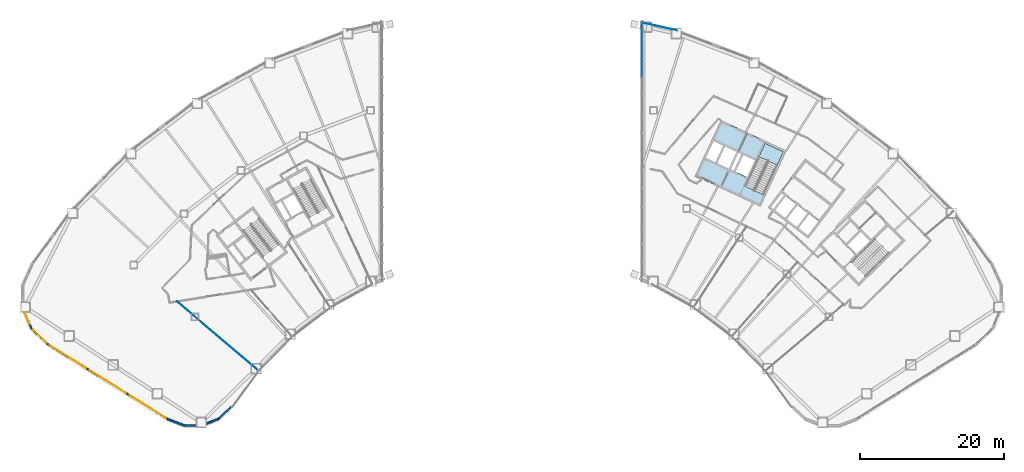
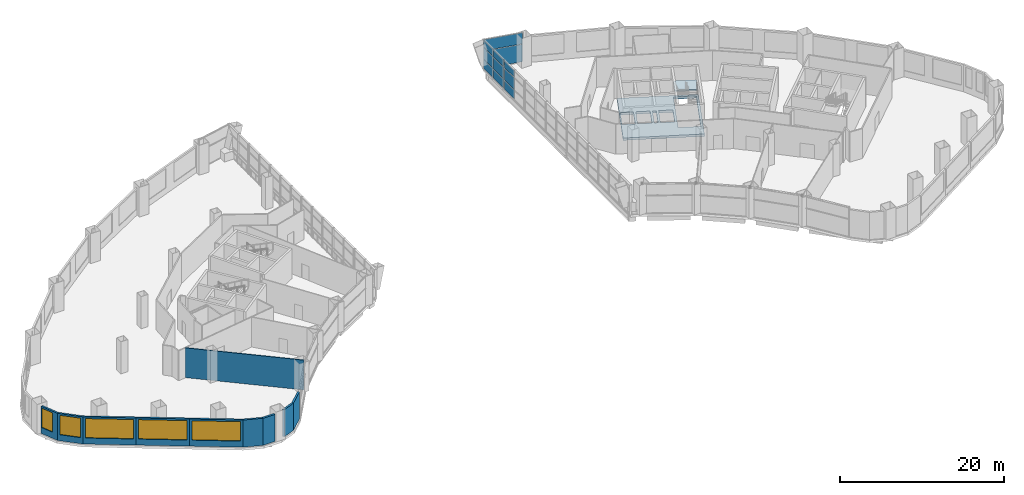
# One storey, part 18 of 26: 11 plates, 10 walls, 5 windows, 2 slabs, 5 openings, 4 elements without a shape of their own.
"""IFC4 building model written with IfcOpenShell, lengths in metres."""

import ifcopenshell
import ifcopenshell.guid

model = None  # the IFC model being written
_history = None  # IfcOwnerHistory: only IFC2X3 demands one
_inside = {}  # id of a spatial element -> (the spatial element, [elements in it])
_under = {}  # id of a project, library or spatial element -> (it, [spatial elements below it])
_declared = {}  # id of a project -> (the project, [libraries it declares])
_typed = {}  # id of a type object -> (the type object, [elements of that type])
_made_of = {}  # id of a material, layer set ... -> (it, [elements and type objects made of it])


def new_model(schema):
    """Start an empty IFC model of exactly this schema.

    Asked for "IFC4X3", IfcOpenShell would pick the latest addendum, in which some entities
    have other attributes; the version numbers below select the first issue.
    IFC2X3 requires an IfcOwnerHistory on every rooted entity: one is made here for all.
    """
    global model, _history
    if schema == "IFC4X3":
        model = ifcopenshell.file(schema_version=(4, 3, 0, 0))
    else:
        model = ifcopenshell.file(schema=schema)
    _inside.clear()
    _under.clear()
    _declared.clear()
    _typed.clear()
    _made_of.clear()
    _history = None
    if model.schema == "IFC2X3":
        org = make("IfcOrganization", Name="unknown")
        user = make(
            "IfcPersonAndOrganization",
            ThePerson=make("IfcPerson", FamilyName="unknown"),
            TheOrganization=org,
        )
        app = make(
            "IfcApplication",
            ApplicationDeveloper=org,
            Version="unknown",
            ApplicationFullName="unknown",
            ApplicationIdentifier="unknown",
        )
        _history = make(
            "IfcOwnerHistory",
            OwningUser=user,
            OwningApplication=app,
            ChangeAction="ADDED",
            CreationDate=0,
        )
    return model


def make(cls, **values):
    """One entity of the class cls with the attributes given. An attribute that is None is left unset."""
    return model.create_entity(
        cls, **{name: value for name, value in values.items() if value is not None}
    )


def rooted(cls, **values):
    """An entity with a GlobalId (a new one), such as an element, a storey or a relation."""
    return make(cls, GlobalId=ifcopenshell.guid.new(), OwnerHistory=_history, **values)


def si_unit(unit_type, name, prefix=None):
    """IfcSIUnit, for example si_unit("LENGTHUNIT", "METRE", prefix="MILLI")."""
    return make("IfcSIUnit", UnitType=unit_type, Prefix=prefix, Name=name)


def assignment(units):
    """IfcUnitAssignment: the units of a project."""
    return None if units is None else make("IfcUnitAssignment", Units=units)


def point(xyz):
    """IfcCartesianPoint."""
    return None if xyz is None else make("IfcCartesianPoint", Coordinates=xyz)


def direction(xyz):
    """IfcDirection."""
    return None if xyz is None else make("IfcDirection", DirectionRatios=xyz)


def frame(location, z_axis=None, x_axis=None):
    """IfcAxis2Placement3D, a coordinate frame: its origin and axes. An axis left out is left unset."""
    return make(
        "IfcAxis2Placement3D",
        Location=point(location),
        Axis=direction(z_axis),
        RefDirection=direction(x_axis),
    )


def frame_2d(location, x_axis=None):
    """IfcAxis2Placement2D, a coordinate frame in the plane: its origin and x axis."""
    return make(
        "IfcAxis2Placement2D", Location=point(location), RefDirection=direction(x_axis)
    )


def origin():
    """The frame at (0, 0, 0) with its axes left unset."""
    return frame((0.0, 0.0, 0.0))


def origin_2d():
    """The frame at (0, 0) in the plane with its x axis left unset."""
    return frame_2d((0.0, 0.0))


def place(relative_to, where):
    """IfcLocalPlacement: puts the frame where relative to a parent placement (None: the world)."""
    return make(
        "IfcLocalPlacement", PlacementRelTo=relative_to, RelativePlacement=where
    )


def context(
    kind, dimensions, precision=None, world=None, true_north=None, identifier=None
):
    """IfcGeometricRepresentationContext, for example the 3D "Model" context."""
    return make(
        "IfcGeometricRepresentationContext",
        ContextIdentifier=identifier,
        ContextType=kind,
        CoordinateSpaceDimension=dimensions,
        Precision=precision,
        WorldCoordinateSystem=world,
        TrueNorth=true_north,
    )


def subcontext(parent, identifier, kind, view, scale=None):
    """IfcGeometricRepresentationSubContext, for example "Body" below "Model"."""
    return make(
        "IfcGeometricRepresentationSubContext",
        ContextIdentifier=identifier,
        ContextType=kind,
        ParentContext=parent,
        TargetScale=scale,
        TargetView=view,
    )


def project(units=None, contexts=None):
    """IfcProject with its units and contexts."""
    return rooted(
        "IfcProject",
        Name="project",
        RepresentationContexts=contexts,
        UnitsInContext=assignment(units),
    )


def spatial(cls, under=None, at=None, **own):
    """A site, building, storey or space (cls), placed at a placement, below another one or the project."""
    s = rooted(cls, ObjectPlacement=at, **own)
    if under is not None:
        _under.setdefault(under.id(), (under, []))[1].append(s)
    return s


def polyline(points):
    """IfcPolyline through the points."""
    return make("IfcPolyline", Points=[point(p) for p in points])


def profile(cls, at=None, kind="AREA", **sizes):
    """A parametric profile (cls). Its sizes go by their IFC names, for example OverallWidth=200.0."""
    return make(cls, ProfileType=kind, Position=at, **sizes)


def rectangle(**sizes):
    """IfcRectangleProfileDef."""
    return profile("IfcRectangleProfileDef", **sizes)


def outline(outer, holes=None, kind="AREA"):
    """IfcArbitraryClosedProfileDef: a profile drawn as a closed curve; with holes, ...WithVoids."""
    if holes is None:
        return make("IfcArbitraryClosedProfileDef", ProfileType=kind, OuterCurve=outer)
    return make(
        "IfcArbitraryProfileDefWithVoids",
        ProfileType=kind,
        OuterCurve=outer,
        InnerCurves=holes,
    )


def extrude(swept, where, along, depth):
    """IfcExtrudedAreaSolid: the profile swept, set in the frame where, extruded along a direction by depth."""
    return make(
        "IfcExtrudedAreaSolid",
        SweptArea=swept,
        Position=where,
        ExtrudedDirection=direction(along),
        Depth=depth,
    )


def shape(context_of_items, identifier, shape_type, items):
    """IfcShapeRepresentation: the items that make up one representation, for example the "Body"."""
    return make(
        "IfcShapeRepresentation",
        ContextOfItems=context_of_items,
        RepresentationIdentifier=identifier,
        RepresentationType=shape_type,
        Items=items,
    )


def material(Name=None, Category=None):
    """IfcMaterial."""
    return make("IfcMaterial", Name=Name, Category=Category)


def layer(
    of_material, thickness, ventilated=None, Name=None, Category=None, Priority=None
):
    """IfcMaterialLayer: one layer of a wall or slab, of a material (None: an air gap)."""
    return make(
        "IfcMaterialLayer",
        Material=of_material,
        LayerThickness=thickness,
        IsVentilated=ventilated,
        Name=Name,
        Category=Category,
        Priority=Priority,
    )


def layer_set(layers, Name=None):
    """IfcMaterialLayerSet."""
    return make("IfcMaterialLayerSet", MaterialLayers=layers, LayerSetName=Name)


def made_of(thing, what):
    """Note that an element or type object is made of a material, layer set ...; save() writes the relation."""
    if what is not None:
        _made_of.setdefault(what.id(), (what, []))[1].append(thing)
    return thing


def type_object(cls, material=None, **own):
    """A type object (cls), such as IfcWallType, which elements share."""
    return made_of(rooted(cls, **own), material)


def element(
    cls,
    number,
    at=None,
    inside=None,
    cuts=None,
    type_object=None,
    material=None,
    context=None,
    identifier="Body",
    shape_type=None,
    held_by="IfcProductDefinitionShape",
    body=None,
    shapes=None,
    **own,
):
    """One element of the class cls, such as IfcWall. Its Tag is "e" and its number.

    at: its placement. inside: the storey or other place that contains it. cuts: it is an
    opening in that element (IfcRelVoidsElement). A single representation is given by context,
    identifier, shape_type and body (its items); several are given by shapes. held_by: the class
    of the entity that holds the representations. save() writes the other relations.
    """
    e = rooted(cls, Tag="e%d" % number, ObjectPlacement=at, **own)
    if body is not None:
        shapes = [shape(context, identifier, shape_type, body)]
    if shapes is not None:
        e.Representation = make(held_by, Representations=shapes)
    if inside is not None:
        _inside.setdefault(inside.id(), (inside, []))[1].append(e)
    if cuts is not None:
        rooted(
            "IfcRelVoidsElement", RelatingBuildingElement=cuts, RelatedOpeningElement=e
        )
    if type_object is not None:
        _typed.setdefault(type_object.id(), (type_object, []))[1].append(e)
    return made_of(e, material)


def fill(opening, filler):
    """IfcRelFillsElement: the door or window that sits in an opening."""
    return rooted(
        "IfcRelFillsElement",
        RelatingOpeningElement=opening,
        RelatedBuildingElement=filler,
    )


def aggregate(whole, parts):
    """IfcRelAggregates: a whole, such as a stair, and the parts it consists of."""
    return rooted("IfcRelAggregates", RelatingObject=whole, RelatedObjects=parts)


def save(model, path):
    """Write the relations noted so far, then the file.

    IfcRelAggregates (storeys below a building ...), IfcRelContainedInSpatialStructure (elements
    in a storey), IfcRelDefinesByType, IfcRelAssociatesMaterial and IfcRelDeclares: one each for
    every whole, place, type object, material and project.
    """
    for whole, parts in _under.values():
        aggregate(whole, parts)
    for where, things in _inside.values():
        rooted(
            "IfcRelContainedInSpatialStructure",
            RelatedElements=things,
            RelatingStructure=where,
        )
    for kind, things in _typed.values():
        rooted("IfcRelDefinesByType", RelatedObjects=things, RelatingType=kind)
    for what, things in _made_of.values():
        rooted("IfcRelAssociatesMaterial", RelatedObjects=things, RelatingMaterial=what)
    for by, libraries in _declared.values():
        rooted("IfcRelDeclares", RelatingContext=by, RelatedDefinitions=libraries)
    model.write(path)


model = new_model("IFC4")

# Units and contexts
model_context = context("Model", 3, precision=1e-05, world=origin(), true_north=direction((0.0, 1.0)))
body_context = subcontext(model_context, "Body", "Model", "MODEL_VIEW")
ifc_project = project(units=[si_unit("LENGTHUNIT", "METRE"), si_unit("AREAUNIT", "SQUARE_METRE"), si_unit("VOLUMEUNIT", "CUBIC_METRE"), si_unit("PLANEANGLEUNIT", "RADIAN"), si_unit("MASSUNIT", "GRAM", prefix="KILO")], contexts=[model_context])

# Site, building, storey
site_placement = place(None, origin())
site = spatial("IfcSite", under=ifc_project, at=site_placement, CompositionType="ELEMENT")
building_placement = place(site_placement, origin())
building = spatial("IfcBuilding", under=site, at=building_placement, Name="Tuul Gate Civic Tower", CompositionType="ELEMENT")
storey_placement = place(building_placement, frame((0.0, 0.0, 7.5)))
storey = spatial("IfcBuildingStorey", under=building, at=storey_placement, Name="Level 01", CompositionType="ELEMENT", Elevation=7.5)

# Curtain wall, plates
ifc_material_1 = material(Name="Stainless steel", Category="steel")
ifc_layer_1 = layer(ifc_material_1, 0.199951171875)
ifc_layer_set_1 = layer_set([ifc_layer_1], Name="Stainless steel")
curtain_wall_type_1 = type_object("IfcCurtainWallType", Name="Curtain wall CW2", PredefinedType="NOTDEFINED", material=ifc_layer_set_1)
curtain_wall_1_placement = place(storey_placement, origin())
curtain_wall_1 = element("IfcCurtainWall", 1, at=curtain_wall_1_placement, inside=storey, type_object=curtain_wall_type_1, Name="Curtain wall CW2", PredefinedType="NOTDEFINED")
ifc_material_2 = material(Name="Laminated glass", Category="glass")
ifc_layer_2 = layer(ifc_material_2, 0.0439453125)
ifc_layer_set_2 = layer_set([ifc_layer_2], Name="Laminated glass")
plate_type_1 = type_object("IfcPlateType", Name="CW2 panel", PredefinedType="CURTAIN_PANEL", material=ifc_layer_set_2)
plate_1_placement = place(storey_placement, frame((18.0, 11.79833984375, 0.080078125), z_axis=(0.0, 0.0, 1.0), x_axis=(0.0, 1.0, 0.0)))
plate_1 = element("IfcPlate", 2, at=plate_1_placement, type_object=plate_type_1, Name="Panel", PredefinedType="CURTAIN_PANEL", context=body_context, shape_type="SweptSolid", body=[
    extrude(rectangle(XDim=2.458740234375, YDim=0.0439453125, at=origin_2d()), origin(), (0.0, 0.0, 1.0), 1.3798828125),
])
plate_2_placement = place(storey_placement, frame((18.0, 11.79833984375, 1.5400390625), z_axis=(0.0, 0.0, 1.0), x_axis=(0.0, 1.0, 0.0)))
plate_2 = element("IfcPlate", 3, at=plate_2_placement, type_object=plate_type_1, Name="Panel", PredefinedType="CURTAIN_PANEL", context=body_context, shape_type="SweptSolid", body=[
    extrude(rectangle(XDim=2.458740234375, YDim=0.0439453125, at=origin_2d()), origin(), (0.0, 0.0, 1.0), 1.719970703125),
])
plate_3_placement = place(storey_placement, frame((18.0, 11.79833984375, 3.33984375), z_axis=(0.0, 0.0, 1.0), x_axis=(0.0, 1.0, 0.0)))
plate_3 = element("IfcPlate", 4, at=plate_3_placement, type_object=plate_type_1, Name="Panel", PredefinedType="CURTAIN_PANEL", context=body_context, shape_type="SweptSolid", body=[
    extrude(rectangle(XDim=2.458740234375, YDim=0.0439453125, at=origin_2d()), origin(), (0.0, 0.0, 1.0), 1.030029296875),
])
aggregate(curtain_wall_1, [plate_1, plate_2, plate_3])

curtain_wall_2_placement = place(storey_placement, origin())
curtain_wall_2 = element("IfcCurtainWall", 5, at=curtain_wall_2_placement, inside=storey, type_object=curtain_wall_type_1, Name="Curtain wall CW2", PredefinedType="NOTDEFINED")
plate_4_placement = place(storey_placement, frame((18.0, 14.4169921875, 0.080078125), z_axis=(0.0, 0.0, 1.0), x_axis=(0.0, 1.0, 0.0)))
plate_4 = element("IfcPlate", 6, at=plate_4_placement, type_object=plate_type_1, Name="Panel", PredefinedType="CURTAIN_PANEL", context=body_context, shape_type="SweptSolid", body=[
    extrude(rectangle(XDim=2.458740234375, YDim=0.0439453125, at=origin_2d()), origin(), (0.0, 0.0, 1.0), 1.3798828125),
])
plate_5_placement = place(storey_placement, frame((18.0, 14.4169921875, 1.5400390625), z_axis=(0.0, 0.0, 1.0), x_axis=(0.0, 1.0, 0.0)))
plate_5 = element("IfcPlate", 7, at=plate_5_placement, type_object=plate_type_1, Name="Panel", PredefinedType="CURTAIN_PANEL", context=body_context, shape_type="SweptSolid", body=[
    extrude(rectangle(XDim=2.458740234375, YDim=0.0439453125, at=origin_2d()), origin(), (0.0, 0.0, 1.0), 1.719970703125),
])
plate_6_placement = place(storey_placement, frame((18.0, 14.4169921875, 3.33984375), z_axis=(0.0, 0.0, 1.0), x_axis=(0.0, 1.0, 0.0)))
plate_6 = element("IfcPlate", 8, at=plate_6_placement, type_object=plate_type_1, Name="Panel", PredefinedType="CURTAIN_PANEL", context=body_context, shape_type="SweptSolid", body=[
    extrude(rectangle(XDim=2.458740234375, YDim=0.0439453125, at=origin_2d()), origin(), (0.0, 0.0, 1.0), 1.030029296875),
])
plate_7_placement = place(storey_placement, frame((18.0, 16.95556640625, 0.080078125), z_axis=(0.0, 0.0, 1.0), x_axis=(0.0, 1.0, 0.0)))
plate_7 = element("IfcPlate", 9, at=plate_7_placement, type_object=plate_type_1, Name="Panel", PredefinedType="CURTAIN_PANEL", context=body_context, shape_type="SweptSolid", body=[
    extrude(rectangle(XDim=2.458740234375, YDim=0.0439453125, at=origin_2d()), origin(), (0.0, 0.0, 1.0), 1.3798828125),
])
plate_8_placement = place(storey_placement, frame((18.0, 16.95556640625, 1.5400390625), z_axis=(0.0, 0.0, 1.0), x_axis=(0.0, 1.0, 0.0)))
plate_8 = element("IfcPlate", 10, at=plate_8_placement, type_object=plate_type_1, Name="Panel", PredefinedType="CURTAIN_PANEL", context=body_context, shape_type="SweptSolid", body=[
    extrude(rectangle(XDim=2.458740234375, YDim=0.0439453125, at=origin_2d()), origin(), (0.0, 0.0, 1.0), 1.719970703125),
])
plate_9_placement = place(storey_placement, frame((18.0, 16.95556640625, 3.33984375), z_axis=(0.0, 0.0, 1.0), x_axis=(0.0, 1.0, 0.0)))
plate_9 = element("IfcPlate", 11, at=plate_9_placement, type_object=plate_type_1, Name="Panel", PredefinedType="CURTAIN_PANEL", context=body_context, shape_type="SweptSolid", body=[
    extrude(rectangle(XDim=2.458740234375, YDim=0.0439453125, at=origin_2d()), origin(), (0.0, 0.0, 1.0), 1.030029296875),
])
aggregate(curtain_wall_2, [plate_4, plate_5, plate_6, plate_7, plate_8, plate_9])

ifc_material_3 = material(Name="Aluminium", Category="aluminium")
ifc_layer_3 = layer(ifc_material_3, 0.199951171875)
ifc_layer_set_3 = layer_set([ifc_layer_3], Name="Aluminium")
curtain_wall_type_2 = type_object("IfcCurtainWallType", Name="Curtain wall CW6", PredefinedType="NOTDEFINED", material=ifc_layer_set_3)
curtain_wall_3_placement = place(storey_placement, origin())
curtain_wall_3 = element("IfcCurtainWall", 12, at=curtain_wall_3_placement, inside=storey, type_object=curtain_wall_type_2, Name="Curtain wall CW6", PredefinedType="NOTDEFINED")
ifc_material_4 = material(Name="Insulated glass", Category="glass")
ifc_layer_4 = layer(ifc_material_4, 0.033935546875)
ifc_layer_set_4 = layer_set([ifc_layer_4], Name="Insulated glass")
plate_type_2 = type_object("IfcPlateType", Name="CW6 panel", PredefinedType="CURTAIN_PANEL", material=ifc_layer_set_4)
plate_10_placement = place(storey_placement, frame((20.46044921875, 17.5693359375, 0.06005859375), z_axis=(0.0, 0.0, 1.0), x_axis=(-0.976568507005, 0.215206763662, 0.0)))
plate_10 = element("IfcPlate", 13, at=plate_10_placement, type_object=plate_type_2, Name="Panel", PredefinedType="CURTAIN_PANEL", context=body_context, shape_type="SweptSolid", body=[
    extrude(rectangle(XDim=4.919189453125, YDim=0.033935546875, at=origin_2d()), origin(), (0.0, 0.0, 1.0), 2.610107421875),
])
plate_11_placement = place(storey_placement, frame((20.46044921875, 17.5693359375, 2.72998046875), z_axis=(0.0, 0.0, 1.0), x_axis=(-0.976568507005, 0.215206763662, 0.0)))
plate_11 = element("IfcPlate", 14, at=plate_11_placement, type_object=plate_type_2, Name="Panel", PredefinedType="CURTAIN_PANEL", context=body_context, shape_type="SweptSolid", body=[
    extrude(rectangle(XDim=4.919189453125, YDim=0.033935546875, at=origin_2d()), origin(), (0.0, 0.0, 1.0), 1.659912109375),
])
aggregate(curtain_wall_3, [plate_10, plate_11])

# Slab
ifc_material_5 = material(Name="Concrete C40/50", Category="concrete")
ifc_layer_5 = layer(ifc_material_5, 0.35009765625)
ifc_layer_set_5 = layer_set([ifc_layer_5], Name="Concrete C40/50")
slab_type_1 = type_object("IfcSlabType", Name="Core floor slab 350", PredefinedType="FLOOR", material=ifc_layer_set_5)
slab_1_placement = place(storey_placement, frame((0.0, 0.0, -0.35009765625)))
element("IfcSlab", 15, at=slab_1_placement, inside=storey, type_object=slab_type_1, Name="FLOOR SLAB", PredefinedType="FLOOR", context=body_context, shape_type="SweptSolid", body=[
    extrude(outline(polyline([(34.465087890625, -7.385986328125), (38.056884765625, 0.31787109375), (28.993896484375, 4.543701171875), (25.40185546875, -3.159912109375), (34.465087890625, -7.385986328125)]), holes=[polyline([(32.60888671875, -3.32080078125), (33.6865234375, -1.009765625), (32.1005859375, -0.27001953125), (31.02294921875, -2.581298828125), (32.60888671875, -3.32080078125)]), polyline([(30.0712890625, -2.137451171875), (31.14892578125, 0.173583984375), (29.562744140625, 0.9130859375), (28.4853515625, -1.39794921875), (30.0712890625, -2.137451171875)]), polyline([(30.751220703125, -2.454345703125), (31.82861328125, -0.143310546875), (31.4208984375, 0.046875), (30.34326171875, -2.264404296875), (30.751220703125, -2.454345703125)]), polyline([(28.21337890625, -1.27099609375), (29.291015625, 1.0400390625), (27.8408203125, 1.71630859375), (26.76318359375, -0.594970703125), (28.21337890625, -1.27099609375)]), polyline([(34.889892578125, -5.7626953125), (32.353759765625, -4.580078125), (35.120849609375, 1.354736328125), (37.6572265625, 0.17236328125), (34.889892578125, -5.7626953125)])]), origin(), (0.0, 0.0, 1.0), 0.35009765625),
])

# Stair, slab
ifc_material_6 = material(Name="Concrete C40/50", Category="concrete")
stair_type = type_object("IfcStairType", Name="Exit stair", PredefinedType="HALF_TURN_STAIR", material=ifc_material_6)
stair_placement = place(storey_placement, origin())
stair = element("IfcStair", 16, at=stair_placement, inside=storey, type_object=stair_type, Name="Level 01 ST-4", PredefinedType="HALF_TURN_STAIR")
ifc_material_7 = material(Name="Concrete C40/50", Category="concrete")
ifc_layer_6 = layer(ifc_material_7, 0.199951171875)
ifc_layer_set_6 = layer_set([ifc_layer_6], Name="Concrete C40/50")
slab_type_2 = type_object("IfcSlabType", Name="Exit stair landing", PredefinedType="LANDING", material=ifc_layer_set_6)
slab_2_placement = place(storey_placement, frame((0.0, 0.0, 2.199951171875)))
slab_2 = element("IfcSlab", 17, at=slab_2_placement, type_object=slab_type_2, Name="ST-4 landing 1", PredefinedType="LANDING", context=body_context, shape_type="SweptSolid", body=[
    extrude(outline(polyline([(36.792236328125, -1.686279296875), (34.253173828125, -0.50244140625), (35.1201171875, 1.35693359375), (37.659423828125, 0.173095703125), (36.792236328125, -1.686279296875)])), origin(), (0.0, 0.0, 1.0), 0.199951171875),
])
aggregate(stair, [slab_2])

# Wall, opening, window
ifc_material_8 = material(Name="Precast concrete C40/50", Category="concrete")
ifc_layer_7 = layer(ifc_material_8, 0.25)
ifc_layer_set_7 = layer_set([ifc_layer_7], Name="Precast concrete C40/50")
wall_type_1 = type_object("IfcWallType", Name="External wall", PredefinedType="STANDARD", material=ifc_layer_set_7)
wall_1_placement = place(storey_placement, frame((-67.61181640625, -22.06689453125, 0.0), z_axis=(0.0, 0.0, 1.0), x_axis=(0.38573160677, -0.922611038054, 0.0)))
wall_1 = element("IfcWall", 18, at=wall_1_placement, inside=storey, type_object=wall_type_1, Name="External wall", PredefinedType="STANDARD", context=body_context, shape_type="SweptSolid", body=[
    extrude(rectangle(XDim=2.484130859375, YDim=0.25, at=frame_2d((1.2421875, 0.0))), origin(), (0.0, 0.0, 1.0), 4.050048828125),
])
opening_1_placement = place(wall_1_placement, frame((0.033203125, 0.0, 0.89990234375)))
opening_1 = element("IfcOpeningElement", 19, at=opening_1_placement, cuts=wall_1, Name="Opening W9", PredefinedType="OPENING", context=body_context, shape_type="SweptSolid", body=[
    extrude(rectangle(XDim=1.699951171875, YDim=2.89990234375, at=frame_2d((0.85009765625, 1.449951171875))), frame((0.0, 0.135009765625, 0.0), z_axis=(0.0, -1.0, 0.0), x_axis=(1.0, 0.0, 0.0)), (0.0, 0.0, 1.0), 0.27001953125),
])
ifc_material_9 = material(Name="Glass", Category="glass")
window_type_1 = type_object("IfcWindowType", Name="Window W9 1700 x 2900", PartitioningType="SINGLE_PANEL", PredefinedType="WINDOW", material=ifc_material_9)
window_1_placement = place(opening_1_placement, origin())
window_1 = element("IfcWindow", 20, at=window_1_placement, inside=storey, type_object=window_type_1, Name="Window", OverallHeight=2.89990234375, OverallWidth=1.699951171875, PartitioningType="SINGLE_PANEL", PredefinedType="WINDOW", context=body_context, shape_type="SweptSolid", body=[
    extrude(rectangle(XDim=1.699951171875, YDim=2.89990234375, at=frame_2d((0.85009765625, 1.449951171875))), frame((0.0, 0.030029296875, 0.0), z_axis=(0.0, -1.0, 0.0), x_axis=(1.0, 0.0, 0.0)), (0.0, 0.0, 1.0), 0.06005859375),
])
fill(opening_1, window_1)

wall_2_placement = place(storey_placement, frame((-66.6826171875, -24.316650390625, 0.0), z_axis=(0.0, 0.0, 1.0), x_axis=(0.722378510216, -0.69149785826, 0.0)))
wall_2 = element("IfcWall", 21, at=wall_2_placement, inside=storey, type_object=wall_type_1, Name="External wall", PredefinedType="STANDARD", context=body_context, shape_type="SweptSolid", body=[
    extrude(rectangle(XDim=3.201904296875, YDim=0.25, at=frame_2d((1.60107421875, 0.0))), origin(), (0.0, 0.0, 1.0), 4.050048828125),
])
opening_2_placement = place(wall_2_placement, frame((0.301025390625, 0.0, 0.89990234375)))
opening_2 = element("IfcOpeningElement", 22, at=opening_2_placement, cuts=wall_2, Name="Opening W8", PredefinedType="OPENING", context=body_context, shape_type="SweptSolid", body=[
    extrude(rectangle(XDim=2.60009765625, YDim=2.89990234375, at=frame_2d((1.300048828125, 1.449951171875))), frame((0.0, 0.135009765625, 0.0), z_axis=(0.0, -1.0, 0.0), x_axis=(1.0, 0.0, 0.0)), (0.0, 0.0, 1.0), 0.27001953125),
])
ifc_material_10 = material(Name="Glass", Category="glass")
window_type_2 = type_object("IfcWindowType", Name="Window W8 2600 x 2900", PartitioningType="SINGLE_PANEL", PredefinedType="WINDOW", material=ifc_material_10)
window_2_placement = place(opening_2_placement, origin())
window_2 = element("IfcWindow", 23, at=window_2_placement, inside=storey, type_object=window_type_2, Name="Window", OverallHeight=2.89990234375, OverallWidth=2.60009765625, PartitioningType="SINGLE_PANEL", PredefinedType="WINDOW", context=body_context, shape_type="SweptSolid", body=[
    extrude(rectangle(XDim=2.60009765625, YDim=2.89990234375, at=frame_2d((1.300048828125, 1.449951171875))), frame((0.0, 0.030029296875, 0.0), z_axis=(0.0, -1.0, 0.0), x_axis=(1.0, 0.0, 0.0)), (0.0, 0.0, 1.0), 0.06005859375),
])
fill(opening_2, window_2)

wall_3_placement = place(storey_placement, frame((-64.3896484375, -26.514892578125, 0.0), z_axis=(0.0, 0.0, 1.0), x_axis=(0.84801510827, -0.529972052232, 0.0)))
wall_3 = element("IfcWall", 24, at=wall_3_placement, inside=storey, type_object=wall_type_1, Name="External wall", PredefinedType="STANDARD", context=body_context, shape_type="SweptSolid", body=[
    extrude(rectangle(XDim=6.529541015625, YDim=0.25, at=frame_2d((3.2646484375, 0.0))), origin(), (0.0, 0.0, 1.0), 4.050048828125),
])
opening_3_placement = place(wall_3_placement, frame((0.314697265625, 0.0, 0.89990234375)))
opening_3 = element("IfcOpeningElement", 25, at=opening_3_placement, cuts=wall_3, Name="Opening W14", PredefinedType="OPENING", context=body_context, shape_type="SweptSolid", body=[
    extrude(rectangle(XDim=5.89990234375, YDim=2.89990234375, at=frame_2d((2.949951171875, 1.449951171875))), frame((0.0, 0.135009765625, 0.0), z_axis=(0.0, -1.0, 0.0), x_axis=(1.0, 0.0, 0.0)), (0.0, 0.0, 1.0), 0.27001953125),
])
ifc_material_11 = material(Name="Glass", Category="glass")
window_type_3 = type_object("IfcWindowType", Name="Window W14 5900 x 2900", PartitioningType="SINGLE_PANEL", PredefinedType="WINDOW", material=ifc_material_11)
window_3_placement = place(opening_3_placement, origin())
window_3 = element("IfcWindow", 26, at=window_3_placement, inside=storey, type_object=window_type_3, Name="Window", OverallHeight=2.89990234375, OverallWidth=5.89990234375, PartitioningType="SINGLE_PANEL", PredefinedType="WINDOW", context=body_context, shape_type="SweptSolid", body=[
    extrude(rectangle(XDim=5.89990234375, YDim=2.89990234375, at=frame_2d((2.949951171875, 1.449951171875))), frame((0.0, 0.030029296875, 0.0), z_axis=(0.0, -1.0, 0.0), x_axis=(1.0, 0.0, 0.0)), (0.0, 0.0, 1.0), 0.06005859375),
])
fill(opening_3, window_3)

wall_4_placement = place(storey_placement, frame((-58.8525390625, -29.975341796875, 0.0), z_axis=(0.0, 0.0, 1.0), x_axis=(0.848042412856, -0.529928359306, 0.0)))
wall_4 = element("IfcWall", 27, at=wall_4_placement, inside=storey, type_object=wall_type_1, Name="External wall", PredefinedType="STANDARD", context=body_context, shape_type="SweptSolid", body=[
    extrude(rectangle(XDim=6.529541015625, YDim=0.25, at=frame_2d((3.2646484375, 0.0))), origin(), (0.0, 0.0, 1.0), 4.050048828125),
])
opening_4_placement = place(wall_4_placement, frame((0.314697265625, 0.0, 0.89990234375)))
opening_4 = element("IfcOpeningElement", 28, at=opening_4_placement, cuts=wall_4, Name="Opening W14", PredefinedType="OPENING", context=body_context, shape_type="SweptSolid", body=[
    extrude(rectangle(XDim=5.89990234375, YDim=2.89990234375, at=frame_2d((2.949951171875, 1.449951171875))), frame((0.0, 0.135009765625, 0.0), z_axis=(0.0, -1.0, 0.0), x_axis=(1.0, 0.0, 0.0)), (0.0, 0.0, 1.0), 0.27001953125),
])
window_4_placement = place(opening_4_placement, origin())
window_4 = element("IfcWindow", 29, at=window_4_placement, inside=storey, type_object=window_type_3, Name="Window", OverallHeight=2.89990234375, OverallWidth=5.89990234375, PartitioningType="SINGLE_PANEL", PredefinedType="WINDOW", context=body_context, shape_type="SweptSolid", body=[
    extrude(rectangle(XDim=5.89990234375, YDim=2.89990234375, at=frame_2d((2.949951171875, 1.449951171875))), frame((0.0, 0.030029296875, 0.0), z_axis=(0.0, -1.0, 0.0), x_axis=(1.0, 0.0, 0.0)), (0.0, 0.0, 1.0), 0.06005859375),
])
fill(opening_4, window_4)

wall_5_placement = place(storey_placement, frame((-53.315185546875, -33.435546875, 0.0), z_axis=(0.0, 0.0, 1.0), x_axis=(0.848025609636, -0.529955248489, 0.0)))
wall_5 = element("IfcWall", 30, at=wall_5_placement, inside=storey, type_object=wall_type_1, Name="External wall", PredefinedType="STANDARD", context=body_context, shape_type="SweptSolid", body=[
    extrude(rectangle(XDim=6.52978515625, YDim=0.25, at=frame_2d((3.264892578125, 0.0))), origin(), (0.0, 0.0, 1.0), 4.050048828125),
])
opening_5_placement = place(wall_5_placement, frame((0.314697265625, 0.0, 0.89990234375)))
opening_5 = element("IfcOpeningElement", 31, at=opening_5_placement, cuts=wall_5, Name="Opening W14", PredefinedType="OPENING", context=body_context, shape_type="SweptSolid", body=[
    extrude(rectangle(XDim=5.89990234375, YDim=2.89990234375, at=frame_2d((2.949951171875, 1.449951171875))), frame((0.0, 0.135009765625, 0.0), z_axis=(0.0, -1.0, 0.0), x_axis=(1.0, 0.0, 0.0)), (0.0, 0.0, 1.0), 0.27001953125),
])
window_5_placement = place(opening_5_placement, origin())
window_5 = element("IfcWindow", 32, at=window_5_placement, inside=storey, type_object=window_type_3, Name="Window", OverallHeight=2.89990234375, OverallWidth=5.89990234375, PartitioningType="SINGLE_PANEL", PredefinedType="WINDOW", context=body_context, shape_type="SweptSolid", body=[
    extrude(rectangle(XDim=5.89990234375, YDim=2.89990234375, at=frame_2d((2.949951171875, 1.449951171875))), frame((0.0, 0.030029296875, 0.0), z_axis=(0.0, -1.0, 0.0), x_axis=(1.0, 0.0, 0.0)), (0.0, 0.0, 1.0), 0.06005859375),
])
fill(opening_5, window_5)

# Walls
wall_6_placement = place(storey_placement, frame((-47.798583984375, -36.885498046875, 0.0), z_axis=(0.0, 0.0, 1.0), x_axis=(0.931986397936, -0.36249324692, 0.0)))
element("IfcWall", 33, at=wall_6_placement, inside=storey, type_object=wall_type_1, Name="External wall", PredefinedType="STANDARD", context=body_context, shape_type="SweptSolid", body=[
    extrude(rectangle(XDim=2.507568359375, YDim=0.25, at=frame_2d((1.25390625, 0.0))), origin(), (0.0, 0.0, 1.0), 4.050048828125),
])
wall_7_placement = place(storey_placement, frame((-45.50732421875, -37.785888671875, 0.0), z_axis=(0.0, 0.0, 1.0), x_axis=(0.999995034341, 0.003151395324, 0.0)))
element("IfcWall", 34, at=wall_7_placement, inside=storey, type_object=wall_type_1, Name="External wall", PredefinedType="STANDARD", context=body_context, shape_type="SweptSolid", body=[
    extrude(rectangle(XDim=1.704345703125, YDim=0.25, at=frame_2d((0.85205078125, 0.0))), origin(), (0.0, 0.0, 1.0), 4.050048828125),
])
wall_8_placement = place(storey_placement, frame((-42.403076171875, -37.531005859375, 0.0), z_axis=(0.0, 0.0, 1.0), x_axis=(0.929466539536, 0.368906427001, 0.0)))
element("IfcWall", 35, at=wall_8_placement, inside=storey, type_object=wall_type_1, Name="External wall", PredefinedType="STANDARD", context=body_context, shape_type="SweptSolid", body=[
    extrude(rectangle(XDim=1.81396484375, YDim=0.25, at=frame_2d((0.906982421875, 0.0))), origin(), (0.0, 0.0, 1.0), 4.050048828125),
])
wall_9_placement = place(storey_placement, frame((-40.75634765625, -36.88671875, 0.0), z_axis=(0.0, 0.0, 1.0), x_axis=(0.72981484367, 0.683644859528, 0.0)))
element("IfcWall", 36, at=wall_9_placement, inside=storey, type_object=wall_type_1, Name="External wall", PredefinedType="STANDARD", context=body_context, shape_type="SweptSolid", body=[
    extrude(rectangle(XDim=2.522216796875, YDim=0.25, at=frame_2d((1.26123046875, 0.0))), origin(), (0.0, 0.0, 1.0), 4.050048828125),
])
ifc_material_12 = material(Name="Gypsum board partition")
ifc_layer_8 = layer(ifc_material_12, 0.10009765625)
ifc_layer_set_8 = layer_set([ifc_layer_8], Name="Gypsum board partition")
wall_type_2 = type_object("IfcWallType", Name="Partition P100", PredefinedType="PARTITIONING", material=ifc_layer_set_8)
wall_10_placement = place(storey_placement, frame((-46.50244140625, -20.5830078125, 0.0), z_axis=(0.0, 0.0, 1.0), x_axis=(0.762830900749, -0.64659803345, 0.0)))
element("IfcWall", 37, at=wall_10_placement, inside=storey, type_object=wall_type_2, Name="p005", PredefinedType="PARTITIONING", context=body_context, shape_type="SweptSolid", body=[
    extrude(rectangle(XDim=14.763916015625, YDim=0.10009765625, at=frame_2d((7.3818359375, 0.0))), origin(), (0.0, 0.0, 1.0), 4.449951171875),
])

save(model, "model.ifc")
